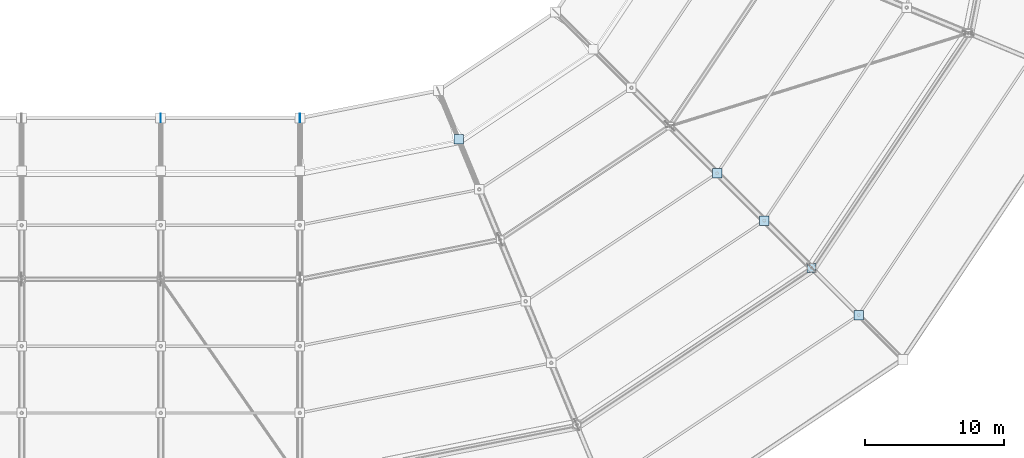
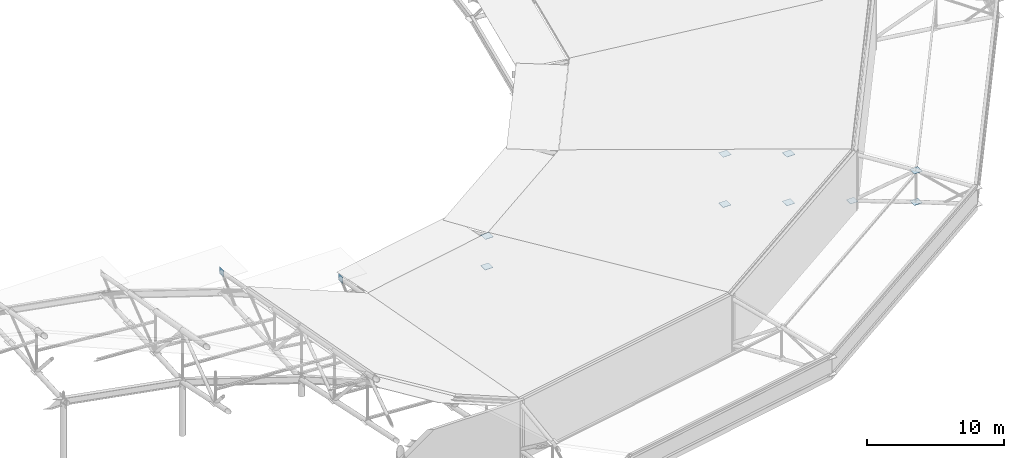
# One storey, part 136 of 146: 11 plates.
"""IFC4 building model written with IfcOpenShell, lengths in metres."""

from ifc_helpers import new_model, si_unit, direction, frame, origin, origin_2d, place, context, subcontext, project, spatial, rectangle, extrude, material, layer, layer_set, type_object, element, save


model = new_model("IFC4")

# Units and contexts
model_context = context("Model", 3, precision=1e-05, world=origin(), true_north=direction((0.0, 1.0)))
body_context = subcontext(model_context, "Body", "Model", "MODEL_VIEW")
ifc_project = project(units=[si_unit("LENGTHUNIT", "METRE"), si_unit("AREAUNIT", "SQUARE_METRE"), si_unit("VOLUMEUNIT", "CUBIC_METRE"), si_unit("PLANEANGLEUNIT", "RADIAN"), si_unit("MASSUNIT", "GRAM", prefix="KILO")], contexts=[model_context])

# Site, building, storey
site_placement = place(None, origin())
site = spatial("IfcSite", under=ifc_project, at=site_placement, CompositionType="ELEMENT")
building_placement = place(site_placement, origin())
building = spatial("IfcBuilding", under=site, at=building_placement, Name="Candeia Ridge Stadium", CompositionType="ELEMENT")
storey_placement = place(building_placement, frame((0.0, 0.0, 31.800048828125)))
storey = spatial("IfcBuildingStorey", under=building, at=storey_placement, Name="RF", CompositionType="ELEMENT", Elevation=31.800048828125)

# Plates
ifc_material = material(Name="Steel ASTM A572 Grade 50", Category="steel")
ifc_layer_1 = layer(ifc_material, 0.02490234375, Name="Steel ASTM A572 Grade 50", Category="steel")
ifc_layer_set_1 = layer_set([ifc_layer_1], Name="Steel ASTM A572 Grade 50")
plate_type_1 = type_object("IfcPlateType", Name="Hollow Section End Closure Plate CP1", PredefinedType="SHEET", material=ifc_layer_set_1)
plate_placement = place(storey_placement, frame((177.76953125, 34.23046875, 0.387451171875), z_axis=(0.0, 0.0, 1.0), x_axis=(1.0, 0.0, 0.0)))
element("IfcPlate", 1, at=plate_placement, inside=storey, type_object=plate_type_1, Name="Hollow section end closure plate MCAP-T-BC-OU-27", PredefinedType="SHEET", context=body_context, shape_type="SweptSolid", body=[
    extrude(rectangle(XDim=0.639892578125, YDim=0.639892578125, at=origin_2d()), origin(), (0.0, 0.0, 1.0), 0.02490234375),
])
ifc_layer_2 = layer(ifc_material, 0.02490234375, Name="Steel ASTM A572 Grade 50", Category="steel")
ifc_layer_set_2 = layer_set([ifc_layer_2], Name="Steel ASTM A572 Grade 50")
plate_type_2 = type_object("IfcPlateType", Name="Hollow Section End Closure Plate CP3", PredefinedType="SHEET", material=ifc_layer_set_2)
for number, where, z_axis, x_axis, name in (
    (2, (152.404052734375, 43.468505859375, 0.530517578125), (0.0, 0.0, 1.0), (1.0, 0.0, 0.0), "Hollow section end closure plate NCAP-T-26-1"),
    (3, (152.404052734375, 43.468505859375, -2.186767578125), (0.0, 0.0, 1.0), (1.0, 0.0, 0.0), "Hollow section end closure plate NCAP-B-26-1"),
    (4, (170.9814453125, 41.0185546875, 2.8115234375), (0.0, 0.0, 1.0), (1.0, 0.0, 0.0), "Hollow section end closure plate NCAP-T-27-4"),
    (5, (170.9814453125, 41.0185546875, -1.6552734375), (0.0, 0.0, 1.0), (1.0, 0.0, 0.0), "Hollow section end closure plate NCAP-B-27-4"),
    (6, (174.37548828125, 37.62451171875, 3.699462890625), (0.0, 0.0, 1.0), (1.0, 0.0, 0.0), "Hollow section end closure plate NCAP-T-27-5"),
    (7, (174.37548828125, 37.62451171875, -0.6337890625), (0.0, 0.0, 1.0), (1.0, 0.0, 0.0), "Hollow section end closure plate NCAP-B-27-5"),
    (8, (181.16357421875, 30.83642578125, 3.94580078125), (0.0, 0.0, 1.0), (1.0, 0.0, 0.0), "Hollow section end closure plate NCAP-T-27-7"),
    (9, (181.16357421875, 30.83642578125, 1.139404296875), (0.0, 0.0, 1.0), (1.0, 0.0, 0.0), "Hollow section end closure plate NCAP-B-27-7"),
):
    element("IfcPlate", number, at=place(storey_placement, frame(where, z_axis=z_axis, x_axis=x_axis)), inside=storey, type_object=plate_type_2, Name=name, PredefinedType="SHEET", context=body_context, shape_type="SweptSolid", body=[
        extrude(rectangle(XDim=0.679931640625, YDim=0.679931640625, at=origin_2d()), origin(), (0.0, 0.0, 1.0), 0.02490234375),
    ])
ifc_layer_3 = layer(ifc_material, 0.02392578125, Name="Steel ASTM A572 Grade 50", Category="steel")
ifc_layer_set_3 = layer_set([ifc_layer_3], Name="Steel ASTM A572 Grade 50")
plate_type_3 = type_object("IfcPlateType", Name="Roof Truss Chord-Web Node Gusset ND-3", PredefinedType="USERDEFINED", material=ifc_layer_set_3)
for number, where, z_axis, x_axis, name in (
    (10, (131.0, 45.0, 3.618408203125), (0.0, 0.0, 1.0), (0.0, -1.0, 0.0), "Roof truss tip gusset node ND-3 bay 25"),
    (11, (141.0, 45.0, -0.460205078125), (0.0, 0.0, 1.0), (0.0, -1.0, 0.0), "Roof truss tip gusset node ND-3 bay 26"),
):
    element("IfcPlate", number, at=place(storey_placement, frame(where, z_axis=z_axis, x_axis=x_axis)), inside=storey, type_object=plate_type_3, Name=name, ObjectType="GUSSET PLATE", PredefinedType="USERDEFINED", context=body_context, shape_type="SweptSolid", body=[
        extrude(rectangle(XDim=0.60009765625, YDim=0.02392578125, at=origin_2d()), origin(), (0.0, 0.0, 1.0), 0.60009765625),
    ])

save(model, "model.ifc")
